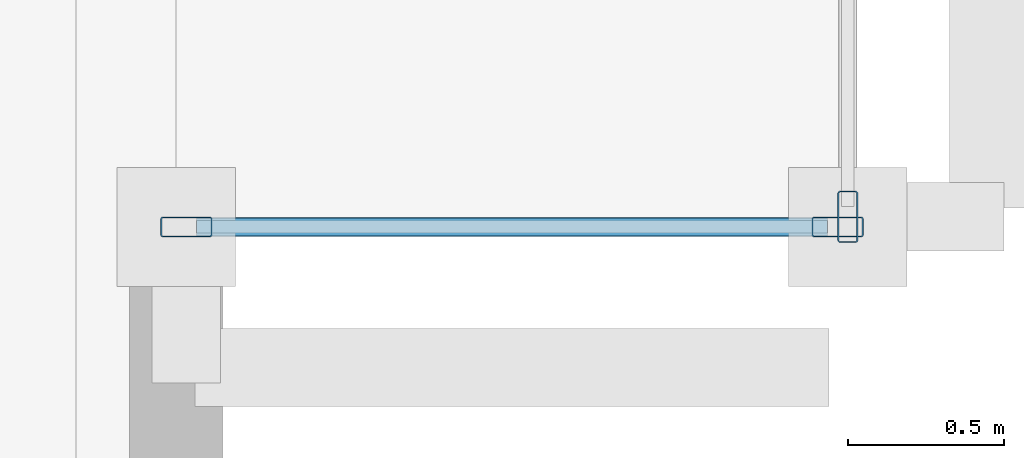
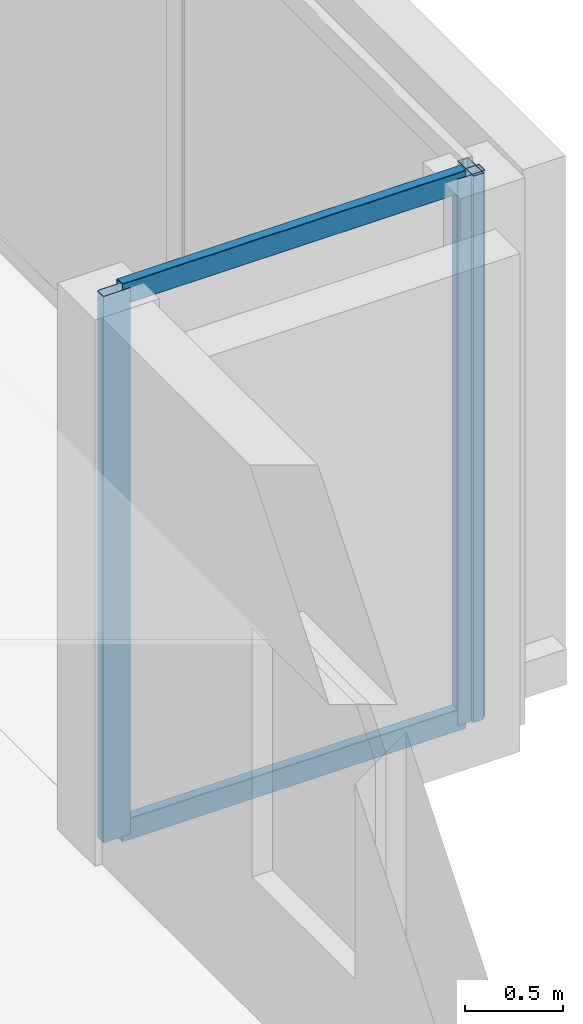
# One storey, part 4 of 14: 5 members, 2 elements without a shape of their own.
"""IFC4 building model written with IfcOpenShell, lengths in metres."""

from ifc_helpers import new_model, si_unit, direction, frame, origin, origin_2d, place, context, subcontext, project, spatial, hollow_rectangle, extrude, material, layer, layer_set, material_profile, profile_set, type_object, element, aggregate, save


model = new_model("IFC4")

# Units and contexts
model_context = context("Model", 3, precision=1e-05, world=origin(), true_north=direction((0.0, 1.0)))
body_context = subcontext(model_context, "Body", "Model", "MODEL_VIEW")
ifc_project = project(units=[si_unit("LENGTHUNIT", "METRE"), si_unit("AREAUNIT", "SQUARE_METRE"), si_unit("VOLUMEUNIT", "CUBIC_METRE"), si_unit("PLANEANGLEUNIT", "RADIAN"), si_unit("MASSUNIT", "GRAM", prefix="KILO")], contexts=[model_context])

# Site, building, storey
site_placement = place(None, origin())
site = spatial("IfcSite", under=ifc_project, at=site_placement, CompositionType="ELEMENT")
building_placement = place(site_placement, origin())
building = spatial("IfcBuilding", under=site, at=building_placement, Name="An Khanh Terracotta Commons", CompositionType="ELEMENT")
storey_placement = place(building_placement, frame((0.0, 0.0, 230.10009765625)))
storey = spatial("IfcBuildingStorey", under=building, at=storey_placement, Name="L60", CompositionType="ELEMENT", Elevation=230.10009765625)

# Curtain wall, member
ifc_material = material(Name="Anodised Aluminium 6063-T6", Category="aluminium")
ifc_layer = layer(ifc_material, 0.239990234375, Name="Anodised Aluminium 6063-T6")
ifc_layer_set = layer_set([ifc_layer], Name="Anodised Aluminium 6063-T6")
curtain_wall_type = type_object("IfcCurtainWallType", Name="CW-SYS-04", PredefinedType="USERDEFINED", material=ifc_layer_set)
curtain_wall_1_placement = place(storey_placement, origin())
curtain_wall_1 = element("IfcCurtainWall", 1, at=curtain_wall_1_placement, inside=storey, type_object=curtain_wall_type, Name="L60 CW-04 Unitised Curtain Wall CW-L60-EBOX-1", ObjectType="UNITISED CURTAIN WALL", PredefinedType="USERDEFINED")
ifc_material_profile_1 = material_profile(ifc_material, hollow_rectangle(XDim=0.06494140625, YDim=0.1650390625, WallThickness=0.00390625, InnerFilletRadius=0.00390625, OuterFilletRadius=0.008056640625, at=origin_2d()), Name="RHS165x65x4")
ifc_profile_set_1 = profile_set([ifc_material_profile_1], Name="Anodised Aluminium 6063-T6")
member_type_1 = type_object("IfcMemberType", Name="CWM-RHS165x65x4", PredefinedType="MULLION", material=ifc_profile_set_1)
member_1_placement = place(storey_placement, frame((70.75, 22.632568359375, 0.0), z_axis=(0.0, 0.0, 1.0), x_axis=(-1.0, 0.0, 0.0)))
member_1 = element("IfcMember", 2, at=member_1_placement, type_object=member_type_1, Name="CW-04 mullion 1", PredefinedType="MULLION", context=body_context, shape_type="SweptSolid", body=[
    extrude(hollow_rectangle(XDim=0.06494140625, YDim=0.1650390625, WallThickness=0.00390625, InnerFilletRadius=0.00390625, OuterFilletRadius=0.008056640625, at=origin_2d()), origin(), (0.0, 0.0, 1.0), 3.39990234375),
])
aggregate(curtain_wall_1, [member_1])

# Curtain wall, members
curtain_wall_2_placement = place(storey_placement, origin())
curtain_wall_2 = element("IfcCurtainWall", 3, at=curtain_wall_2_placement, inside=storey, type_object=curtain_wall_type, Name="L60 CW-04 Unitised Curtain Wall CW-L60-EBOX-2", ObjectType="UNITISED CURTAIN WALL", PredefinedType="USERDEFINED")
member_2_placement = place(storey_placement, frame((68.632568359375, 22.60009765625, 0.0), z_axis=(0.0, 0.0, 1.0), x_axis=(0.0, 1.0, 0.0)))
member_2 = element("IfcMember", 4, at=member_2_placement, type_object=member_type_1, Name="CW-04 mullion 1", PredefinedType="MULLION", context=body_context, shape_type="SweptSolid", body=[
    extrude(hollow_rectangle(XDim=0.06494140625, YDim=0.1650390625, WallThickness=0.00390625, InnerFilletRadius=0.00390625, OuterFilletRadius=0.008056640625, at=origin_2d()), origin(), (0.0, 0.0, 1.0), 3.39990234375),
])
member_3_placement = place(storey_placement, frame((70.717529296875, 22.60009765625, 0.0), z_axis=(0.0, 0.0, 1.0), x_axis=(0.0, 1.0, 0.0)))
member_3 = element("IfcMember", 5, at=member_3_placement, type_object=member_type_1, Name="CW-04 mullion 2", PredefinedType="MULLION", context=body_context, shape_type="SweptSolid", body=[
    extrude(hollow_rectangle(XDim=0.06494140625, YDim=0.1650390625, WallThickness=0.00390625, InnerFilletRadius=0.00390625, OuterFilletRadius=0.008056640625, at=origin_2d()), origin(), (0.0, 0.0, 1.0), 3.39990234375),
])
ifc_material_profile_2 = material_profile(ifc_material, hollow_rectangle(XDim=0.06005859375, YDim=0.135009765625, WallThickness=0.003662109375, InnerFilletRadius=0.003662109375, OuterFilletRadius=0.007080078125, at=origin_2d()), Name="RHS135x60x3.6")
ifc_profile_set_2 = profile_set([ifc_material_profile_2], Name="Anodised Aluminium 6063-T6")
member_type_2 = type_object("IfcMemberType", Name="CWT-RHS135x60x3.6", PredefinedType="USERDEFINED", material=ifc_profile_set_2)
member_4_placement = place(storey_placement, frame((68.6650390625, 22.60009765625, 0.02978515625), z_axis=(1.0, 0.0, 0.0), x_axis=(0.0, 1.0, 0.0)))
member_4 = element("IfcMember", 6, at=member_4_placement, type_object=member_type_2, Name="CW-04 transom 1.1", ObjectType="TRANSOM", PredefinedType="USERDEFINED", context=body_context, shape_type="SweptSolid", body=[
    extrude(hollow_rectangle(XDim=0.06005859375, YDim=0.135009765625, WallThickness=0.003662109375, InnerFilletRadius=0.003662109375, OuterFilletRadius=0.007080078125, at=origin_2d()), origin(), (0.0, 0.0, 1.0), 2.02001953125),
])
member_5_placement = place(storey_placement, frame((68.6650390625, 22.60009765625, 3.369873046875), z_axis=(1.0, 0.0, 0.0), x_axis=(0.0, 1.0, 0.0)))
member_5 = element("IfcMember", 7, at=member_5_placement, type_object=member_type_2, Name="CW-04 transom 1.2", ObjectType="TRANSOM", PredefinedType="USERDEFINED", context=body_context, shape_type="SweptSolid", body=[
    extrude(hollow_rectangle(XDim=0.06005859375, YDim=0.135009765625, WallThickness=0.003662109375, InnerFilletRadius=0.003662109375, OuterFilletRadius=0.007080078125, at=origin_2d()), origin(), (0.0, 0.0, 1.0), 2.02001953125),
])
aggregate(curtain_wall_2, [member_2, member_3, member_4, member_5])

save(model, "model.ifc")
